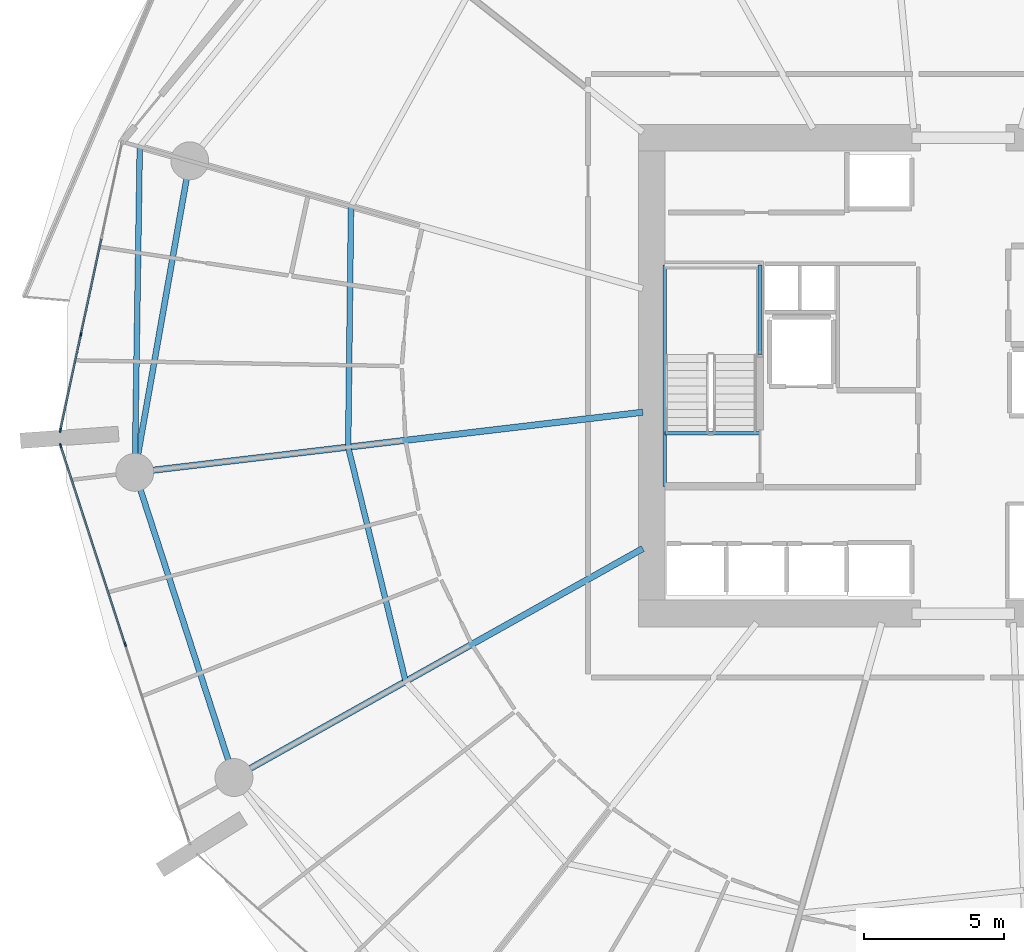
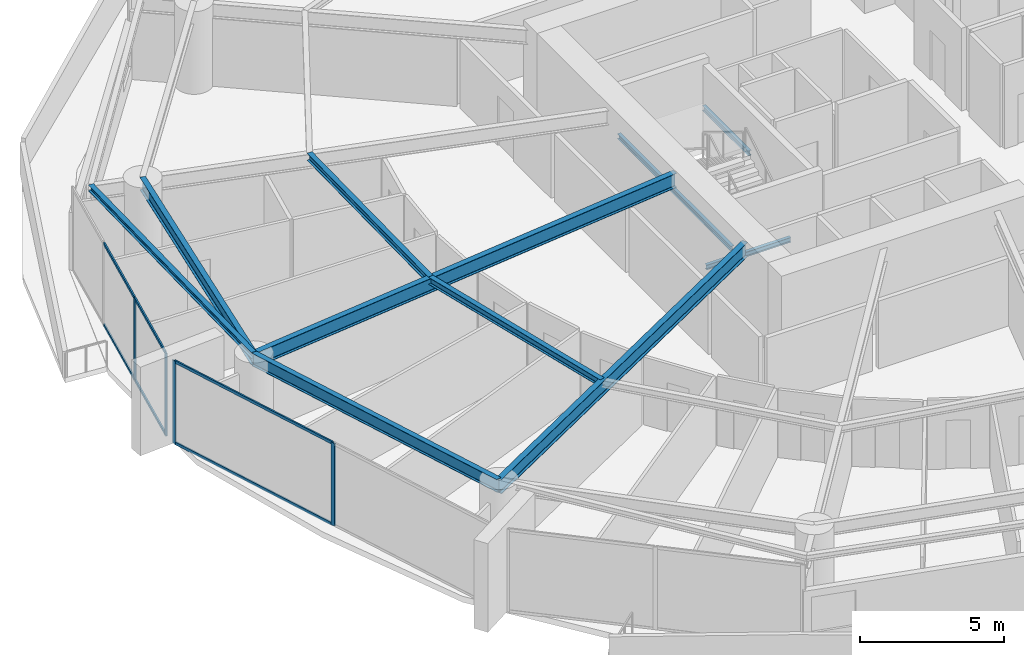
# One storey, part 9 of 30: 10 beams, 10 members, 2 elements without a shape of their own.
"""IFC4 building model written with IfcOpenShell, lengths in metres."""

from ifc_helpers import new_model, si_unit, direction, frame, origin, origin_2d, place, context, subcontext, project, spatial, rectangle, i_section, extrude, material, layer, layer_set, material_profile, profile_set, type_object, element, aggregate, save


model = new_model("IFC4")

# Units and contexts
model_context = context("Model", 3, precision=1e-05, world=origin(), true_north=direction((0.0, 1.0)))
body_context = subcontext(model_context, "Body", "Model", "MODEL_VIEW")
ifc_project = project(units=[si_unit("LENGTHUNIT", "METRE"), si_unit("AREAUNIT", "SQUARE_METRE"), si_unit("VOLUMEUNIT", "CUBIC_METRE"), si_unit("PLANEANGLEUNIT", "RADIAN"), si_unit("MASSUNIT", "GRAM", prefix="KILO")], contexts=[model_context])

# Site, building, storey
site_placement = place(None, origin())
site = spatial("IfcSite", under=ifc_project, at=site_placement, CompositionType="ELEMENT")
building_placement = place(site_placement, origin())
building = spatial("IfcBuilding", under=site, at=building_placement, Name="Kazma Halo Residences", CompositionType="ELEMENT")
storey_placement = place(building_placement, frame((0.0, 0.0, 56.39990234375)))
storey = spatial("IfcBuildingStorey", under=building, at=storey_placement, Name="L13", CompositionType="ELEMENT", Elevation=56.39990234375)

# Beams
ifc_material_1 = material(Name="Steel S355", Category="steel")
ifc_material_profile_1 = material_profile(ifc_material_1, i_section(OverallWidth=0.201904296875, OverallDepth=0.2470703125, WebThickness=0.00732421875, FlangeThickness=0.010986328125, FilletRadius=0.011962890625, at=origin_2d()), Name="W250x49.1")
ifc_profile_set_1 = profile_set([ifc_material_profile_1], Name="Steel S355")
beam_type_1 = type_object("IfcBeamType", Name="BM-BAL-CANT", PredefinedType="BEAM", material=ifc_profile_set_1)
beam_1_placement = place(storey_placement, frame((19.07861328125, 50.15673828125, 3.376708984375), z_axis=(-0.015213846033, -0.999884262747, 0.0), x_axis=(0.999884262747, -0.015213846033, 0.0)))
element("IfcBeam", 1, at=beam_1_placement, inside=storey, type_object=beam_type_1, Name="L13 wave-balcony tie beam 07", PredefinedType="BEAM", context=body_context, shape_type="SweptSolid", body=[
    extrude(i_section(OverallWidth=0.201904296875, OverallDepth=0.2470703125, WebThickness=0.00732421875, FlangeThickness=0.010986328125, FilletRadius=0.011962890625, at=origin_2d()), origin(), (0.0, 0.0, 1.0), 11.602294921875),
])
ifc_material_profile_2 = material_profile(ifc_material_1, i_section(OverallWidth=0.22802734375, OverallDepth=0.60791015625, WebThickness=0.01123046875, FlangeThickness=0.017333984375, FilletRadius=0.01806640625, at=origin_2d()), Name="W610x113")
ifc_profile_set_2 = profile_set([ifc_material_profile_2], Name="Steel S355")
beam_type_2 = type_object("IfcBeamType", Name="BM-RAD-W610", PredefinedType="BEAM", material=ifc_profile_set_2)
beam_2_placement = place(storey_placement, frame((37.0, 40.697998046875, 3.196044921875), z_axis=(-0.993068058728, -0.117540762013, 0.0), x_axis=(0.117540762013, -0.993068058728, 0.0)))
element("IfcBeam", 2, at=beam_2_placement, inside=storey, type_object=beam_type_2, Name="L13 radial floor beam 08", PredefinedType="BEAM", context=body_context, shape_type="SweptSolid", body=[
    extrude(i_section(OverallWidth=0.22802734375, OverallDepth=0.60791015625, WebThickness=0.01123046875, FlangeThickness=0.017333984375, FilletRadius=0.01806640625, at=origin_2d()), origin(), (0.0, 0.0, 1.0), 18.22412109375),
])
beam_3_placement = place(storey_placement, frame((37.0, 35.839599609375, 3.196044921875), z_axis=(-0.872496538947, -0.488620291767, 0.0), x_axis=(0.488620291767, -0.872496538947, 0.0)))
element("IfcBeam", 3, at=beam_3_placement, inside=storey, type_object=beam_type_2, Name="L13 radial floor beam 09", PredefinedType="BEAM", context=body_context, shape_type="SweptSolid", body=[
    extrude(i_section(OverallWidth=0.22802734375, OverallDepth=0.60791015625, WebThickness=0.01123046875, FlangeThickness=0.017333984375, FilletRadius=0.01806640625, at=origin_2d()), origin(), (0.0, 0.0, 1.0), 16.693359375),
])
ifc_material_profile_3 = material_profile(ifc_material_1, i_section(OverallWidth=0.202880859375, OverallDepth=0.302978515625, WebThickness=0.007568359375, FlangeThickness=0.01318359375, FilletRadius=0.013916015625, at=origin_2d()), Name="W310x60")
ifc_profile_set_3 = profile_set([ifc_material_profile_3], Name="Steel S355")
beam_type_3 = type_object("IfcBeamType", Name="BM-SEC-W310A", PredefinedType="JOIST", material=ifc_profile_set_3)
beam_4_placement = place(storey_placement, frame((26.605712890625, 48.033935546875, 3.3486328125), z_axis=(-0.011952697998, -0.999928563954, 0.0), x_axis=(0.999928563954, -0.011952697998, 0.0)))
element("IfcBeam", 4, at=beam_4_placement, inside=storey, type_object=beam_type_3, Name="L13 circumferential floor joist 07", PredefinedType="JOIST", context=body_context, shape_type="SweptSolid", body=[
    extrude(i_section(OverallWidth=0.202880859375, OverallDepth=0.302978515625, WebThickness=0.007568359375, FlangeThickness=0.01318359375, FilletRadius=0.013916015625, at=origin_2d()), origin(), (0.0, 0.0, 1.0), 8.578857421875),
])
beam_5_placement = place(storey_placement, frame((26.503173828125, 39.455810546875, 3.3486328125), z_axis=(0.238409585139, -0.971164697523, 0.0), x_axis=(0.971164697523, 0.238409585139, 0.0)))
element("IfcBeam", 5, at=beam_5_placement, inside=storey, type_object=beam_type_3, Name="L13 circumferential floor joist 08", PredefinedType="JOIST", context=body_context, shape_type="SweptSolid", body=[
    extrude(i_section(OverallWidth=0.202880859375, OverallDepth=0.302978515625, WebThickness=0.007568359375, FlangeThickness=0.01318359375, FilletRadius=0.013916015625, at=origin_2d()), origin(), (0.0, 0.0, 1.0), 8.5947265625),
])
ifc_material_profile_4 = material_profile(ifc_material_1, i_section(OverallWidth=0.208984375, OverallDepth=0.532958984375, WebThickness=0.01025390625, FlangeThickness=0.015625, FilletRadius=0.01611328125, at=origin_2d()), Name="W530x92")
ifc_profile_set_4 = profile_set([ifc_material_profile_4], Name="Steel S355")
beam_type_4 = type_object("IfcBeamType", Name="BM-SPN-W530", PredefinedType="BEAM", material=ifc_profile_set_4)
beam_6_placement = place(storey_placement, frame((20.859130859375, 49.654541015625, 3.233642578125), z_axis=(-0.173651864005, -0.984807103004, 0.0), x_axis=(0.984807103004, -0.173651864005, 0.0)))
element("IfcBeam", 6, at=beam_6_placement, inside=storey, type_object=beam_type_4, Name="L13 perimeter ring beam 07", PredefinedType="BEAM", context=body_context, shape_type="SweptSolid", body=[
    extrude(i_section(OverallWidth=0.208984375, OverallDepth=0.532958984375, WebThickness=0.01025390625, FlangeThickness=0.015625, FilletRadius=0.01611328125, at=origin_2d()), origin(), (0.0, 0.0, 1.0), 11.269775390625),
])
beam_7_placement = place(storey_placement, frame((18.902099609375, 38.555908203125, 3.233642578125), z_axis=(0.309024264898, -0.951054153928, 0.0), x_axis=(0.951054153928, 0.309024264898, 0.0)))
element("IfcBeam", 7, at=beam_7_placement, inside=storey, type_object=beam_type_4, Name="L13 perimeter ring beam 08", PredefinedType="BEAM", context=body_context, shape_type="SweptSolid", body=[
    extrude(i_section(OverallWidth=0.208984375, OverallDepth=0.532958984375, WebThickness=0.01025390625, FlangeThickness=0.015625, FilletRadius=0.01611328125, at=origin_2d()), origin(), (0.0, 0.0, 1.0), 11.4326171875),
])
ifc_material_profile_5 = material_profile(ifc_material_1, i_section(OverallWidth=0.133056640625, OverallDepth=0.20703125, WebThickness=0.005859375, FlangeThickness=0.00830078125, FilletRadius=0.010009765625, at=origin_2d()), Name="W200x26.6")
ifc_profile_set_5 = profile_set([ifc_material_profile_5], Name="Steel S355")
beam_type_5 = type_object("IfcBeamType", Name="BM-TRIM-W200", PredefinedType="BEAM", material=ifc_profile_set_5)
beam_8_placement = place(storey_placement, frame((37.800048828125, 39.949951171875, -0.35986328125), z_axis=(1.0, 0.0, 0.0), x_axis=(0.0, 1.0, 0.0)))
element("IfcBeam", 8, at=beam_8_placement, inside=storey, type_object=beam_type_5, Name="L13 ST-01 floor landing support beam", PredefinedType="BEAM", context=body_context, shape_type="SweptSolid", body=[
    extrude(i_section(OverallWidth=0.133056640625, OverallDepth=0.20703125, WebThickness=0.005859375, FlangeThickness=0.00830078125, FilletRadius=0.010009765625, at=origin_2d()), origin(), (0.0, 0.0, 1.0), 3.3798828125),
])
beam_9_placement = place(storey_placement, frame((37.780029296875, 38.06005859375, 1.570068359375), z_axis=(0.0, 1.0, 0.0), x_axis=(-1.0, 0.0, 0.0)))
element("IfcBeam", 9, at=beam_9_placement, inside=storey, type_object=beam_type_5, Name="L13 ST-01 landing west wall ledger", PredefinedType="BEAM", context=body_context, shape_type="SweptSolid", body=[
    extrude(i_section(OverallWidth=0.133056640625, OverallDepth=0.20703125, WebThickness=0.005859375, FlangeThickness=0.00830078125, FilletRadius=0.010009765625, at=origin_2d()), origin(), (0.0, 0.0, 1.0), 7.8798828125),
])
beam_10_placement = place(storey_placement, frame((41.179931640625, 42.75, 1.570068359375), z_axis=(0.0, 1.0, 0.0), x_axis=(-1.0, 0.0, 0.0)))
element("IfcBeam", 10, at=beam_10_placement, inside=storey, type_object=beam_type_5, Name="L13 ST-01 landing east wall ledger", PredefinedType="BEAM", context=body_context, shape_type="SweptSolid", body=[
    extrude(i_section(OverallWidth=0.133056640625, OverallDepth=0.20703125, WebThickness=0.005859375, FlangeThickness=0.00830078125, FilletRadius=0.010009765625, at=origin_2d()), origin(), (0.0, 0.0, 1.0), 3.18994140625),
])

# Curtain wall, members
ifc_material_2 = material(Name="Aluminium AW-6063 T6 and Triple-Silver Low-E Glass", Category="aluminium")
ifc_layer = layer(ifc_material_2, 0.159912109375)
ifc_layer_set = layer_set([ifc_layer], Name="Aluminium AW-6063 T6 and Triple-Silver Low-E Glass")
curtain_wall_type = type_object("IfcCurtainWallType", Name="CW-SYS-2", PredefinedType="NOTDEFINED", material=ifc_layer_set)
curtain_wall_1_placement = place(storey_placement, origin())
curtain_wall_1 = element("IfcCurtainWall", 11, at=curtain_wall_1_placement, inside=storey, type_object=curtain_wall_type, Name="L13 unitised curtain wall B07", PredefinedType="NOTDEFINED")
ifc_material_3 = material(Name="Aluminium AW-6063 T6", Category="aluminium")
ifc_material_profile_6 = material_profile(ifc_material_3, rectangle(XDim=0.06005859375, YDim=0.159912109375, at=origin_2d()), Name="CWM-60x160")
ifc_profile_set_6 = profile_set([ifc_material_profile_6], Name="Aluminium AW-6063 T6")
member_type_1 = type_object("IfcMemberType", Name="CW-SYS-2-MUL", PredefinedType="MULLION", material=ifc_profile_set_6)
member_1_placement = place(storey_placement, frame((16.980712890625, 43.46435546875, 0.0), z_axis=(0.0, 0.0, 1.0), x_axis=(0.977779215096, -0.209637321406, 0.0)))
member_1 = element("IfcMember", 12, at=member_1_placement, type_object=member_type_1, Name="CWS-2 mullion 3", PredefinedType="MULLION", context=body_context, shape_type="SweptSolid", body=[
    extrude(rectangle(XDim=0.06005859375, YDim=0.159912109375, at=origin_2d()), origin(), (0.0, 0.0, 1.0), 3.5),
])
member_2_placement = place(storey_placement, frame((16.25048828125, 40.059326171875, 0.0), z_axis=(0.0, 0.0, 1.0), x_axis=(0.977779215096, -0.209637321406, 0.0)))
member_2 = element("IfcMember", 13, at=member_2_placement, type_object=member_type_1, Name="CWS-2 mullion 4", PredefinedType="MULLION", context=body_context, shape_type="SweptSolid", body=[
    extrude(rectangle(XDim=0.06005859375, YDim=0.159912109375, at=origin_2d()), origin(), (0.0, 0.0, 1.0), 3.5),
])

curtain_wall_2_placement = place(storey_placement, origin())
curtain_wall_2 = element("IfcCurtainWall", 14, at=curtain_wall_2_placement, inside=storey, type_object=curtain_wall_type, Name="L13 unitised curtain wall B08", PredefinedType="NOTDEFINED")
member_3_placement = place(storey_placement, frame((16.26171875, 39.500732421875, 0.0), z_axis=(0.0, 0.0, 1.0), x_axis=(0.95105652404, 0.309016970539, 0.0)))
member_3 = element("IfcMember", 15, at=member_3_placement, type_object=member_type_1, Name="CWS-2 mullion 1", PredefinedType="MULLION", context=body_context, shape_type="SweptSolid", body=[
    extrude(rectangle(XDim=0.06005859375, YDim=0.159912109375, at=origin_2d()), origin(), (0.0, 0.0, 1.0), 3.5),
])
member_4_placement = place(storey_placement, frame((18.55810546875, 32.43359375, 0.0), z_axis=(0.0, 0.0, 1.0), x_axis=(0.95105652404, 0.309016970539, 0.0)))
member_4 = element("IfcMember", 16, at=member_4_placement, type_object=member_type_1, Name="CWS-2 mullion 2", PredefinedType="MULLION", context=body_context, shape_type="SweptSolid", body=[
    extrude(rectangle(XDim=0.06005859375, YDim=0.159912109375, at=origin_2d()), origin(), (0.0, 0.0, 1.0), 3.5),
])

# Member
ifc_material_profile_7 = material_profile(ifc_material_3, rectangle(XDim=0.06005859375, YDim=0.1201171875, at=origin_2d()), Name="CWT-60x120")
ifc_profile_set_7 = profile_set([ifc_material_profile_7], Name="Aluminium AW-6063 T6")
member_type_2 = type_object("IfcMemberType", Name="CW-SYS-2-TRN", PredefinedType="USERDEFINED", material=ifc_profile_set_7)
member_5_placement = place(storey_placement, frame((17.710693359375, 46.869384765625, 0.030029296875), z_axis=(-0.209669136217, -0.977772393412, 0.0), x_axis=(0.977772393412, -0.209669136217, 0.0)))
member_5 = element("IfcMember", 17, at=member_5_placement, type_object=member_type_2, Name="CWS-2 transom 2.1", ObjectType="TRANSOM", PredefinedType="USERDEFINED", context=body_context, shape_type="SweptSolid", body=[
    extrude(rectangle(XDim=0.06005859375, YDim=0.1201171875, at=origin_2d()), origin(), (0.0, 0.0, 1.0), 3.452392578125),
])

member_6_placement = place(storey_placement, frame((17.710693359375, 46.869384765625, 3.47021484375), z_axis=(-0.209669136217, -0.977772393412, 0.0), x_axis=(0.977772393412, -0.209669136217, 0.0)))
member_6 = element("IfcMember", 18, at=member_6_placement, type_object=member_type_2, Name="CWS-2 transom 2.2", ObjectType="TRANSOM", PredefinedType="USERDEFINED", context=body_context, shape_type="SweptSolid", body=[
    extrude(rectangle(XDim=0.06005859375, YDim=0.1201171875, at=origin_2d()), origin(), (0.0, 0.0, 1.0), 3.452392578125),
])

member_7_placement = place(storey_placement, frame((16.974365234375, 43.434814453125, 0.030029296875), z_axis=(-0.209665500897, -0.977773172946, 0.0), x_axis=(0.977773172946, -0.209665500897, 0.0)))
member_7 = element("IfcMember", 19, at=member_7_placement, type_object=member_type_2, Name="CWS-2 transom 3.1", ObjectType="TRANSOM", PredefinedType="USERDEFINED", context=body_context, shape_type="SweptSolid", body=[
    extrude(rectangle(XDim=0.06005859375, YDim=0.1201171875, at=origin_2d()), origin(), (0.0, 0.0, 1.0), 3.42236328125),
])

member_8_placement = place(storey_placement, frame((16.974365234375, 43.434814453125, 3.47021484375), z_axis=(-0.209665500897, -0.977773172946, 0.0), x_axis=(0.977773172946, -0.209665500897, 0.0)))
member_8 = element("IfcMember", 20, at=member_8_placement, type_object=member_type_2, Name="CWS-2 transom 3.2", ObjectType="TRANSOM", PredefinedType="USERDEFINED", context=body_context, shape_type="SweptSolid", body=[
    extrude(rectangle(XDim=0.06005859375, YDim=0.1201171875, at=origin_2d()), origin(), (0.0, 0.0, 1.0), 3.42236328125),
])

aggregate(curtain_wall_1, [member_1, member_2, member_5, member_6, member_7, member_8])

member_9_placement = place(storey_placement, frame((16.27099609375, 39.47216796875, 0.030029296875), z_axis=(0.309034393795, -0.951050862705, 0.0), x_axis=(0.951050862705, 0.309034393795, 0.0)))
member_9 = element("IfcMember", 21, at=member_9_placement, type_object=member_type_2, Name="CWS-2 transom 1.1", ObjectType="TRANSOM", PredefinedType="USERDEFINED", context=body_context, shape_type="SweptSolid", body=[
    extrude(rectangle(XDim=0.06005859375, YDim=0.1201171875, at=origin_2d()), origin(), (0.0, 0.0, 1.0), 7.370849609375),
])

member_10_placement = place(storey_placement, frame((16.27099609375, 39.47216796875, 3.47021484375), z_axis=(0.309034393795, -0.951050862705, 0.0), x_axis=(0.951050862705, 0.309034393795, 0.0)))
member_10 = element("IfcMember", 22, at=member_10_placement, type_object=member_type_2, Name="CWS-2 transom 1.2", ObjectType="TRANSOM", PredefinedType="USERDEFINED", context=body_context, shape_type="SweptSolid", body=[
    extrude(rectangle(XDim=0.06005859375, YDim=0.1201171875, at=origin_2d()), origin(), (0.0, 0.0, 1.0), 7.370849609375),
])

aggregate(curtain_wall_2, [member_3, member_4, member_9, member_10])

save(model, "model.ifc")
